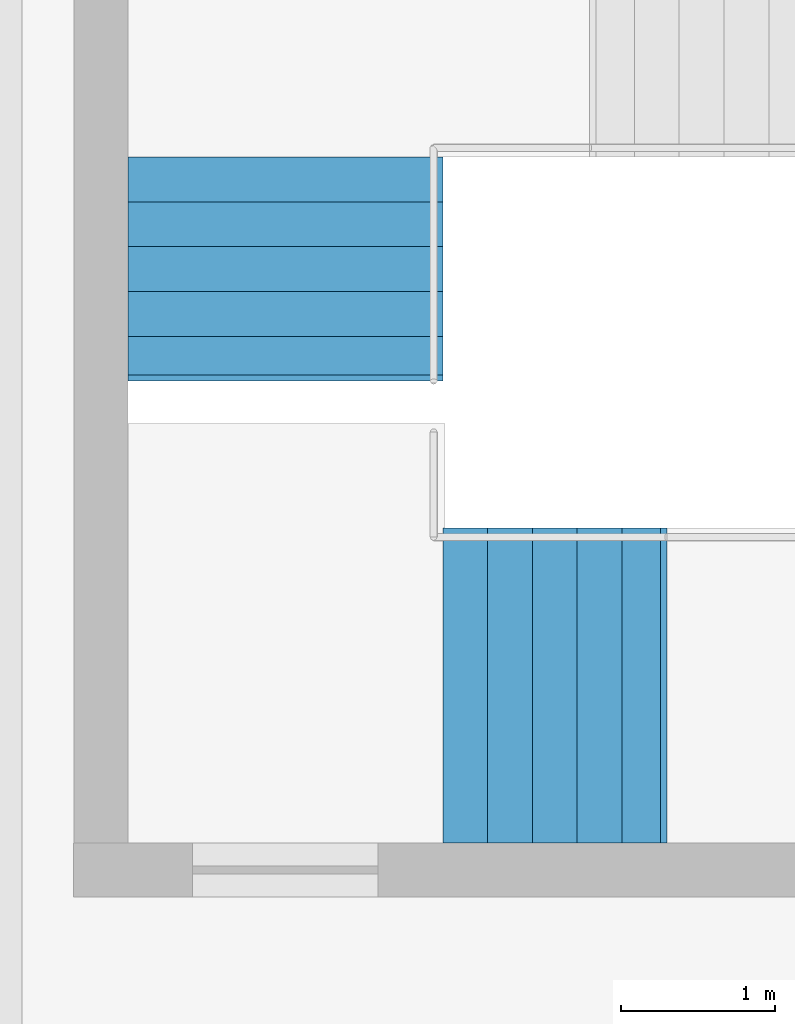
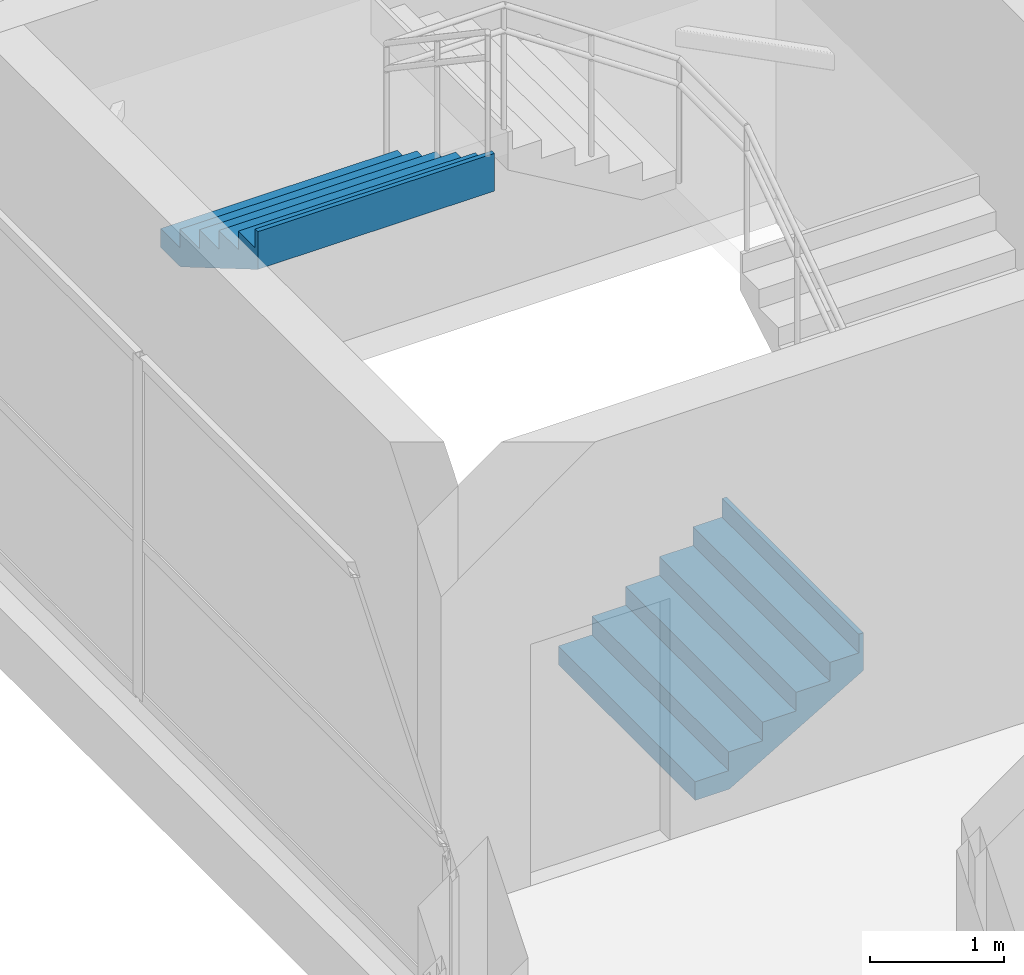
# One storey, part 62 of 66: 2 stair flights, 1 element without a shape of its own.
"""IFC4 building model written with IfcOpenShell, lengths in metres."""

from ifc_helpers import new_model, si_unit, direction, frame, origin, place, context, subcontext, project, spatial, triangles, material, type_object, element, aggregate, save


model = new_model("IFC4")

# Units and contexts
model_context = context("Model", 3, precision=1e-05, world=origin(), true_north=direction((0.0, 1.0)))
body_context = subcontext(model_context, "Body", "Model", "MODEL_VIEW")
ifc_project = project(units=[si_unit("LENGTHUNIT", "METRE"), si_unit("AREAUNIT", "SQUARE_METRE"), si_unit("VOLUMEUNIT", "CUBIC_METRE"), si_unit("PLANEANGLEUNIT", "RADIAN"), si_unit("MASSUNIT", "GRAM", prefix="KILO")], contexts=[model_context])

# Site, building, storey
site_placement = place(None, origin())
site = spatial("IfcSite", under=ifc_project, at=site_placement, CompositionType="ELEMENT")
building_placement = place(site_placement, origin())
building = spatial("IfcBuilding", under=site, at=building_placement, Name="Sillaruma Civic Art Gallery", CompositionType="ELEMENT")
storey_placement = place(building_placement, frame((0.0, 0.0, 62.219970703125)))
storey = spatial("IfcBuildingStorey", under=building, at=storey_placement, Name="L12", CompositionType="ELEMENT", Elevation=62.219970703125)

# Stair, stair flights
ifc_material = material(Name="Concrete H35 (35 MPa)", Category="concrete")
stair_type = type_object("IfcStairType", Name="STR-4F-24", PredefinedType="USERDEFINED", material=ifc_material)
stair_placement = place(storey_placement, origin())
stair = element("IfcStair", 1, at=stair_placement, inside=storey, type_object=stair_type, Name="Protected Exit Stair ST-04 (East Bar) (L12)", ObjectType="THREE_RETURN_STAIR", PredefinedType="USERDEFINED")
stair_flight_type = type_object("IfcStairFlightType", Name="SFL-STR-6", PredefinedType="STRAIGHT", material=ifc_material)
stair_flight_1_placement = place(storey_placement, frame((100.89990234375, 52.22998046875, 0.0), z_axis=(0.0, 0.0, 1.0), x_axis=(1.0, 0.0, 0.0)))
stair_flight_1 = element("IfcStairFlight", 2, at=stair_flight_1_placement, type_object=stair_flight_type, Name="ST-04 flight 1", NumberOfRisers=6, NumberOfTreads=5, PredefinedType="STRAIGHT", RiserHeight=0.17, TreadLength=0.29, context=body_context, shape_type="Tessellation", body=[
    triangles([(0.0, -1.02001953125, 0.0), (0.29, -1.02001953125, 0.0), (0.296365, -1.02001953125, 0.0), (0.58, -1.02001953125, 0.166269), (0.87, -1.02001953125, 0.336269), (1.16, -1.02001953125, 0.506269), (1.409951, -1.02001953125, 0.652792), (1.449951, -1.02001953125, 0.67624), (1.449951, -1.02001953125, 1.02), (1.409951, -1.02001953125, 1.02), (1.409951, -1.02001953125, 0.85), (1.16, -1.02001953125, 0.85), (1.16, -1.02001953125, 0.68), (0.87, -1.02001953125, 0.68), (0.87, -1.02001953125, 0.51), (0.58, -1.02001953125, 0.51), (0.58, -1.02001953125, 0.34), (0.296365, -1.02001953125, 0.34), (0.29, -1.02001953125, 0.34), (0.29, -1.02001953125, 0.17), (0.0, -1.02001953125, 0.17), (0.0, -0.05, 0.0), (0.29, -0.05, 0.0), (0.296365, -0.05, 0.0), (0.58, -0.05, 0.166269), (0.87, -0.05, 0.336269), (1.16, -0.05, 0.506269), (1.409951, -0.05, 0.652792), (1.449951, -0.05, 0.67624), (1.449951, -0.05, 1.02), (1.409951, -0.05, 1.02), (1.409951, -0.05, 0.85), (1.16, -0.05, 0.85), (1.16, -0.05, 0.68), (0.87, -0.05, 0.68), (0.87, -0.05, 0.51), (0.58, -0.05, 0.51), (0.58, -0.05, 0.34), (0.296365, -0.05, 0.34), (0.29, -0.05, 0.34), (0.29, -0.05, 0.17), (0.0, -0.05, 0.17), (0.0, -0.0375, 0.0), (0.29, -0.0375, 0.0), (0.296365, -0.0375, 0.0), (0.58, -0.0375, 0.166269), (0.87, -0.0375, 0.336269), (1.16, -0.0375, 0.506269), (1.409951, -0.0375, 0.652792), (1.449951, -0.0375, 0.67624), (1.449951, -0.0375, 1.02), (1.409951, -0.0375, 1.02), (1.409951, -0.0375, 0.85), (1.16, -0.0375, 0.85), (1.16, -0.0375, 0.68), (0.87, -0.0375, 0.68), (0.87, -0.0375, 0.51), (0.58, -0.0375, 0.51), (0.58, -0.0375, 0.34), (0.296365, -0.0375, 0.34), (0.29, -0.0375, 0.34), (0.29, -0.0375, 0.17), (0.0, -0.0375, 0.17), (0.0, -0.025, 0.0), (0.29, -0.025, 0.0), (0.296365, -0.025, 0.0), (0.58, -0.025, 0.166269), (0.87, -0.025, 0.336269), (1.16, -0.025, 0.506269), (1.409951, -0.025, 0.652792), (1.449951, -0.025, 0.67624), (1.449951, -0.025, 1.02), (1.409951, -0.025, 1.02), (1.409951, -0.025, 0.85), (1.16, -0.025, 0.85), (1.16, -0.025, 0.68), (0.87, -0.025, 0.68), (0.87, -0.025, 0.51), (0.58, -0.025, 0.51), (0.58, -0.025, 0.34), (0.296365, -0.025, 0.34), (0.29, -0.025, 0.34), (0.29, -0.025, 0.17), (0.0, -0.025, 0.17), (0.0, -0.0125, 0.0), (0.29, -0.0125, 0.0), (0.296365, -0.0125, 0.0), (0.58, -0.0125, 0.166269), (0.87, -0.0125, 0.336269), (1.16, -0.0125, 0.506269), (1.409951, -0.0125, 0.652792), (1.449951, -0.0125, 0.67624), (1.449951, -0.0125, 1.02), (1.409951, -0.0125, 1.02), (1.409951, -0.0125, 0.85), (1.16, -0.0125, 0.85), (1.16, -0.0125, 0.68), (0.87, -0.0125, 0.68), (0.87, -0.0125, 0.51), (0.58, -0.0125, 0.51), (0.58, -0.0125, 0.34), (0.296365, -0.0125, 0.34), (0.29, -0.0125, 0.34), (0.29, -0.0125, 0.17), (0.0, -0.0125, 0.17), (0.0, 0.0, 0.0), (0.29, 0.0, 0.0), (0.296365, 0.0, 0.0), (0.58, 0.0, 0.166269), (0.87, 0.0, 0.336269), (1.16, 0.0, 0.506269), (1.409951, 0.0, 0.652792), (1.449951, 0.0, 0.67624), (1.449951, 0.0, 1.02), (1.409951, 0.0, 1.02), (1.409951, 0.0, 0.85), (1.16, 0.0, 0.85), (1.16, 0.0, 0.68), (0.87, 0.0, 0.68), (0.87, 0.0, 0.51), (0.58, 0.0, 0.51), (0.58, 0.0, 0.34), (0.296365, 0.0, 0.34), (0.29, 0.0, 0.34), (0.29, 0.0, 0.17), (0.0, 0.0, 0.17), (0.0, 0.0125, 0.0), (0.29, 0.0125, 0.0), (0.296365, 0.0125, 0.0), (0.58, 0.0125, 0.166269), (0.87, 0.0125, 0.336269), (1.16, 0.0125, 0.506269), (1.409951, 0.0125, 0.652792), (1.449951, 0.0125, 0.67624), (1.449951, 0.0125, 1.02), (1.409951, 0.0125, 1.02), (1.409951, 0.0125, 0.85), (1.16, 0.0125, 0.85), (1.16, 0.0125, 0.68), (0.87, 0.0125, 0.68), (0.87, 0.0125, 0.51), (0.58, 0.0125, 0.51), (0.58, 0.0125, 0.34), (0.296365, 0.0125, 0.34), (0.29, 0.0125, 0.34), (0.29, 0.0125, 0.17), (0.0, 0.0125, 0.17), (0.0, 0.025, 0.0), (0.29, 0.025, 0.0), (0.296365, 0.025, 0.0), (0.58, 0.025, 0.166269), (0.87, 0.025, 0.336269), (1.16, 0.025, 0.506269), (1.409951, 0.025, 0.652792), (1.449951, 0.025, 0.67624), (1.449951, 0.025, 1.02), (1.409951, 0.025, 1.02), (1.409951, 0.025, 0.85), (1.16, 0.025, 0.85), (1.16, 0.025, 0.68), (0.87, 0.025, 0.68), (0.87, 0.025, 0.51), (0.58, 0.025, 0.51), (0.58, 0.025, 0.34), (0.296365, 0.025, 0.34), (0.29, 0.025, 0.34), (0.29, 0.025, 0.17), (0.0, 0.025, 0.17), (0.0, 0.0375, 0.0), (0.29, 0.0375, 0.0), (0.296365, 0.0375, 0.0), (0.58, 0.0375, 0.166269), (0.87, 0.0375, 0.336269), (1.16, 0.0375, 0.506269), (1.409951, 0.0375, 0.652792), (1.449951, 0.0375, 0.67624), (1.449951, 0.0375, 1.02), (1.409951, 0.0375, 1.02), (1.409951, 0.0375, 0.85), (1.16, 0.0375, 0.85), (1.16, 0.0375, 0.68), (0.87, 0.0375, 0.68), (0.87, 0.0375, 0.51), (0.58, 0.0375, 0.51), (0.58, 0.0375, 0.34), (0.296365, 0.0375, 0.34), (0.29, 0.0375, 0.34), (0.29, 0.0375, 0.17), (0.0, 0.0375, 0.17), (0.0, 0.05, 0.0), (0.29, 0.05, 0.0), (0.296365, 0.05, 0.0), (0.58, 0.05, 0.166269), (0.87, 0.05, 0.336269), (1.16, 0.05, 0.506269), (1.409951, 0.05, 0.652792), (1.449951, 0.05, 0.67624), (1.449951, 0.05, 1.02), (1.409951, 0.05, 1.02), (1.409951, 0.05, 0.85), (1.16, 0.05, 0.85), (1.16, 0.05, 0.68), (0.87, 0.05, 0.68), (0.87, 0.05, 0.51), (0.58, 0.05, 0.51), (0.58, 0.05, 0.34), (0.296365, 0.05, 0.34), (0.29, 0.05, 0.34), (0.29, 0.05, 0.17), (0.0, 0.05, 0.17), (0.0, 1.02001953125, 0.0), (0.29, 1.02001953125, 0.0), (0.296365, 1.02001953125, 0.0), (0.58, 1.02001953125, 0.166269), (0.87, 1.02001953125, 0.336269), (1.16, 1.02001953125, 0.506269), (1.409951, 1.02001953125, 0.652792), (1.449951, 1.02001953125, 0.67624), (1.449951, 1.02001953125, 1.02), (1.409951, 1.02001953125, 1.02), (1.409951, 1.02001953125, 0.85), (1.16, 1.02001953125, 0.85), (1.16, 1.02001953125, 0.68), (0.87, 1.02001953125, 0.68), (0.87, 1.02001953125, 0.51), (0.58, 1.02001953125, 0.51), (0.58, 1.02001953125, 0.34), (0.296365, 1.02001953125, 0.34), (0.29, 1.02001953125, 0.34), (0.29, 1.02001953125, 0.17), (0.0, 1.02001953125, 0.17)], [[1, 2, 20], [1, 20, 21], [2, 3, 18], [2, 18, 20], [20, 18, 19], [3, 4, 17], [3, 17, 18], [4, 5, 15], [4, 15, 17], [17, 15, 16], [5, 6, 13], [5, 13, 15], [15, 13, 14], [6, 7, 11], [6, 11, 13], [13, 11, 12], [7, 8, 9], [7, 9, 11], [11, 9, 10], [230, 212, 211], [231, 230, 211], [228, 213, 212], [230, 228, 212], [229, 228, 230], [227, 214, 213], [228, 227, 213], [225, 215, 214], [227, 225, 214], [226, 225, 227], [223, 216, 215], [225, 223, 215], [224, 223, 225], [221, 217, 216], [223, 221, 216], [222, 221, 223], [219, 218, 217], [221, 219, 217], [220, 219, 221], [2, 1, 22], [2, 22, 23], [3, 2, 23], [3, 23, 24], [4, 3, 24], [4, 24, 25], [5, 4, 25], [5, 25, 26], [6, 5, 26], [6, 26, 27], [7, 6, 27], [7, 27, 28], [8, 7, 28], [8, 28, 29], [9, 8, 29], [9, 29, 30], [10, 9, 30], [10, 30, 31], [11, 10, 31], [11, 31, 32], [12, 11, 32], [12, 32, 33], [13, 12, 33], [13, 33, 34], [14, 13, 34], [14, 34, 35], [15, 14, 35], [15, 35, 36], [16, 15, 36], [16, 36, 37], [17, 16, 37], [17, 37, 38], [18, 17, 38], [18, 38, 39], [19, 18, 39], [19, 39, 40], [20, 19, 40], [20, 40, 41], [21, 20, 41], [21, 41, 42], [1, 21, 42], [1, 42, 22], [23, 22, 43], [23, 43, 44], [24, 23, 44], [24, 44, 45], [25, 24, 45], [25, 45, 46], [26, 25, 46], [26, 46, 47], [27, 26, 47], [27, 47, 48], [28, 27, 48], [28, 48, 49], [29, 28, 49], [29, 49, 50], [30, 29, 50], [30, 50, 51], [31, 30, 51], [31, 51, 52], [32, 31, 52], [32, 52, 53], [33, 32, 53], [33, 53, 54], [34, 33, 54], [34, 54, 55], [35, 34, 55], [35, 55, 56], [36, 35, 56], [36, 56, 57], [37, 36, 57], [37, 57, 58], [38, 37, 58], [38, 58, 59], [39, 38, 59], [39, 59, 60], [40, 39, 60], [40, 60, 61], [41, 40, 61], [41, 61, 62], [42, 41, 62], [42, 62, 63], [22, 42, 63], [22, 63, 43], [44, 43, 64], [44, 64, 65], [45, 44, 65], [45, 65, 66], [46, 45, 66], [46, 66, 67], [47, 46, 67], [47, 67, 68], [48, 47, 68], [48, 68, 69], [49, 48, 69], [49, 69, 70], [50, 49, 70], [50, 70, 71], [51, 50, 71], [51, 71, 72], [52, 51, 72], [52, 72, 73], [53, 52, 73], [53, 73, 74], [54, 53, 74], [54, 74, 75], [55, 54, 75], [55, 75, 76], [56, 55, 76], [56, 76, 77], [57, 56, 77], [57, 77, 78], [58, 57, 78], [58, 78, 79], [59, 58, 79], [59, 79, 80], [60, 59, 80], [60, 80, 81], [61, 60, 81], [61, 81, 82], [62, 61, 82], [62, 82, 83], [63, 62, 83], [63, 83, 84], [43, 63, 84], [43, 84, 64], [65, 64, 85], [65, 85, 86], [66, 65, 86], [66, 86, 87], [67, 66, 87], [67, 87, 88], [68, 67, 88], [68, 88, 89], [69, 68, 89], [69, 89, 90], [70, 69, 90], [70, 90, 91], [71, 70, 91], [71, 91, 92], [72, 71, 92], [72, 92, 93], [73, 72, 93], [73, 93, 94], [74, 73, 94], [74, 94, 95], [75, 74, 95], [75, 95, 96], [76, 75, 96], [76, 96, 97], [77, 76, 97], [77, 97, 98], [78, 77, 98], [78, 98, 99], [79, 78, 99], [79, 99, 100], [80, 79, 100], [80, 100, 101], [81, 80, 101], [81, 101, 102], [82, 81, 102], [82, 102, 103], [83, 82, 103], [83, 103, 104], [84, 83, 104], [84, 104, 105], [64, 84, 105], [64, 105, 85], [86, 85, 106], [86, 106, 107], [87, 86, 107], [87, 107, 108], [88, 87, 108], [88, 108, 109], [89, 88, 109], [89, 109, 110], [90, 89, 110], [90, 110, 111], [91, 90, 111], [91, 111, 112], [92, 91, 112], [92, 112, 113], [93, 92, 113], [93, 113, 114], [94, 93, 114], [94, 114, 115], [95, 94, 115], [95, 115, 116], [96, 95, 116], [96, 116, 117], [97, 96, 117], [97, 117, 118], [98, 97, 118], [98, 118, 119], [99, 98, 119], [99, 119, 120], [100, 99, 120], [100, 120, 121], [101, 100, 121], [101, 121, 122], [102, 101, 122], [102, 122, 123], [103, 102, 123], [103, 123, 124], [104, 103, 124], [104, 124, 125], [105, 104, 125], [105, 125, 126], [85, 105, 126], [85, 126, 106], [107, 106, 127], [107, 127, 128], [108, 107, 128], [108, 128, 129], [109, 108, 129], [109, 129, 130], [110, 109, 130], [110, 130, 131], [111, 110, 131], [111, 131, 132], [112, 111, 132], [112, 132, 133], [113, 112, 133], [113, 133, 134], [114, 113, 134], [114, 134, 135], [115, 114, 135], [115, 135, 136], [116, 115, 136], [116, 136, 137], [117, 116, 137], [117, 137, 138], [118, 117, 138], [118, 138, 139], [119, 118, 139], [119, 139, 140], [120, 119, 140], [120, 140, 141], [121, 120, 141], [121, 141, 142], [122, 121, 142], [122, 142, 143], [123, 122, 143], [123, 143, 144], [124, 123, 144], [124, 144, 145], [125, 124, 145], [125, 145, 146], [126, 125, 146], [126, 146, 147], [106, 126, 147], [106, 147, 127], [128, 127, 148], [128, 148, 149], [129, 128, 149], [129, 149, 150], [130, 129, 150], [130, 150, 151], [131, 130, 151], [131, 151, 152], [132, 131, 152], [132, 152, 153], [133, 132, 153], [133, 153, 154], [134, 133, 154], [134, 154, 155], [135, 134, 155], [135, 155, 156], [136, 135, 156], [136, 156, 157], [137, 136, 157], [137, 157, 158], [138, 137, 158], [138, 158, 159], [139, 138, 159], [139, 159, 160], [140, 139, 160], [140, 160, 161], [141, 140, 161], [141, 161, 162], [142, 141, 162], [142, 162, 163], [143, 142, 163], [143, 163, 164], [144, 143, 164], [144, 164, 165], [145, 144, 165], [145, 165, 166], [146, 145, 166], [146, 166, 167], [147, 146, 167], [147, 167, 168], [127, 147, 168], [127, 168, 148], [149, 148, 169], [149, 169, 170], [150, 149, 170], [150, 170, 171], [151, 150, 171], [151, 171, 172], [152, 151, 172], [152, 172, 173], [153, 152, 173], [153, 173, 174], [154, 153, 174], [154, 174, 175], [155, 154, 175], [155, 175, 176], [156, 155, 176], [156, 176, 177], [157, 156, 177], [157, 177, 178], [158, 157, 178], [158, 178, 179], [159, 158, 179], [159, 179, 180], [160, 159, 180], [160, 180, 181], [161, 160, 181], [161, 181, 182], [162, 161, 182], [162, 182, 183], [163, 162, 183], [163, 183, 184], [164, 163, 184], [164, 184, 185], [165, 164, 185], [165, 185, 186], [166, 165, 186], [166, 186, 187], [167, 166, 187], [167, 187, 188], [168, 167, 188], [168, 188, 189], [148, 168, 189], [148, 189, 169], [170, 169, 190], [170, 190, 191], [171, 170, 191], [171, 191, 192], [172, 171, 192], [172, 192, 193], [173, 172, 193], [173, 193, 194], [174, 173, 194], [174, 194, 195], [175, 174, 195], [175, 195, 196], [176, 175, 196], [176, 196, 197], [177, 176, 197], [177, 197, 198], [178, 177, 198], [178, 198, 199], [179, 178, 199], [179, 199, 200], [180, 179, 200], [180, 200, 201], [181, 180, 201], [181, 201, 202], [182, 181, 202], [182, 202, 203], [183, 182, 203], [183, 203, 204], [184, 183, 204], [184, 204, 205], [185, 184, 205], [185, 205, 206], [186, 185, 206], [186, 206, 207], [187, 186, 207], [187, 207, 208], [188, 187, 208], [188, 208, 209], [189, 188, 209], [189, 209, 210], [169, 189, 210], [169, 210, 190], [191, 190, 211], [191, 211, 212], [192, 191, 212], [192, 212, 213], [193, 192, 213], [193, 213, 214], [194, 193, 214], [194, 214, 215], [195, 194, 215], [195, 215, 216], [196, 195, 216], [196, 216, 217], [197, 196, 217], [197, 217, 218], [198, 197, 218], [198, 218, 219], [199, 198, 219], [199, 219, 220], [200, 199, 220], [200, 220, 221], [201, 200, 221], [201, 221, 222], [202, 201, 222], [202, 222, 223], [203, 202, 223], [203, 223, 224], [204, 203, 224], [204, 224, 225], [205, 204, 225], [205, 225, 226], [206, 205, 226], [206, 226, 227], [207, 206, 227], [207, 227, 228], [208, 207, 228], [208, 228, 229], [209, 208, 229], [209, 229, 230], [210, 209, 230], [210, 230, 231], [190, 210, 231], [190, 231, 211]], closed=True),
])
stair_flight_2_placement = place(storey_placement, frame((99.8798828125, 55.64990234375, 3.06005859375), z_axis=(0.0, 0.0, 1.0), x_axis=(0.0, -1.0, 0.0)))
stair_flight_2 = element("IfcStairFlight", 3, at=stair_flight_2_placement, type_object=stair_flight_type, Name="ST-04 flight 4", NumberOfRisers=6, NumberOfTreads=5, PredefinedType="STRAIGHT", RiserHeight=0.17, TreadLength=0.29, context=body_context, shape_type="Tessellation", body=[
    triangles([(0.0, -1.02001953125, 0.0), (0.29, -1.02001953125, 0.0), (0.296365, -1.02001953125, 0.0), (0.58, -1.02001953125, 0.166269), (0.87, -1.02001953125, 0.336269), (1.16, -1.02001953125, 0.506269), (1.409951, -1.02001953125, 0.652792), (1.449951, -1.02001953125, 0.67624), (1.449951, -1.02001953125, 1.02), (1.409951, -1.02001953125, 1.02), (1.409951, -1.02001953125, 0.85), (1.16, -1.02001953125, 0.85), (1.16, -1.02001953125, 0.68), (0.87, -1.02001953125, 0.68), (0.87, -1.02001953125, 0.51), (0.58, -1.02001953125, 0.51), (0.58, -1.02001953125, 0.34), (0.296365, -1.02001953125, 0.34), (0.29, -1.02001953125, 0.34), (0.29, -1.02001953125, 0.17), (0.0, -1.02001953125, 0.17), (0.0, -0.05, 0.0), (0.29, -0.05, 0.0), (0.296365, -0.05, 0.0), (0.58, -0.05, 0.166269), (0.87, -0.05, 0.336269), (1.16, -0.05, 0.506269), (1.409951, -0.05, 0.652792), (1.449951, -0.05, 0.67624), (1.449951, -0.05, 1.02), (1.409951, -0.05, 1.02), (1.409951, -0.05, 0.85), (1.16, -0.05, 0.85), (1.16, -0.05, 0.68), (0.87, -0.05, 0.68), (0.87, -0.05, 0.51), (0.58, -0.05, 0.51), (0.58, -0.05, 0.34), (0.296365, -0.05, 0.34), (0.29, -0.05, 0.34), (0.29, -0.05, 0.17), (0.0, -0.05, 0.17), (0.0, -0.0375, 0.0), (0.29, -0.0375, 0.0), (0.296365, -0.0375, 0.0), (0.58, -0.0375, 0.166269), (0.87, -0.0375, 0.336269), (1.16, -0.0375, 0.506269), (1.409951, -0.0375, 0.652792), (1.449951, -0.0375, 0.67624), (1.449951, -0.0375, 1.02), (1.409951, -0.0375, 1.02), (1.409951, -0.0375, 0.85), (1.16, -0.0375, 0.85), (1.16, -0.0375, 0.68), (0.87, -0.0375, 0.68), (0.87, -0.0375, 0.51), (0.58, -0.0375, 0.51), (0.58, -0.0375, 0.34), (0.296365, -0.0375, 0.34), (0.29, -0.0375, 0.34), (0.29, -0.0375, 0.17), (0.0, -0.0375, 0.17), (0.0, -0.025, 0.0), (0.29, -0.025, 0.0), (0.296365, -0.025, 0.0), (0.58, -0.025, 0.166269), (0.87, -0.025, 0.336269), (1.16, -0.025, 0.506269), (1.409951, -0.025, 0.652792), (1.449951, -0.025, 0.67624), (1.449951, -0.025, 1.02), (1.409951, -0.025, 1.02), (1.409951, -0.025, 0.85), (1.16, -0.025, 0.85), (1.16, -0.025, 0.68), (0.87, -0.025, 0.68), (0.87, -0.025, 0.51), (0.58, -0.025, 0.51), (0.58, -0.025, 0.34), (0.296365, -0.025, 0.34), (0.29, -0.025, 0.34), (0.29, -0.025, 0.17), (0.0, -0.025, 0.17), (0.0, -0.0125, 0.0), (0.29, -0.0125, 0.0), (0.296365, -0.0125, 0.0), (0.58, -0.0125, 0.166269), (0.87, -0.0125, 0.336269), (1.16, -0.0125, 0.506269), (1.409951, -0.0125, 0.652792), (1.449951, -0.0125, 0.67624), (1.449951, -0.0125, 1.02), (1.409951, -0.0125, 1.02), (1.409951, -0.0125, 0.85), (1.16, -0.0125, 0.85), (1.16, -0.0125, 0.68), (0.87, -0.0125, 0.68), (0.87, -0.0125, 0.51), (0.58, -0.0125, 0.51), (0.58, -0.0125, 0.34), (0.296365, -0.0125, 0.34), (0.29, -0.0125, 0.34), (0.29, -0.0125, 0.17), (0.0, -0.0125, 0.17), (0.0, 0.0, 0.0), (0.29, 0.0, 0.0), (0.296365, 0.0, 0.0), (0.58, 0.0, 0.166269), (0.87, 0.0, 0.336269), (1.16, 0.0, 0.506269), (1.409951, 0.0, 0.652792), (1.449951, 0.0, 0.67624), (1.449951, 0.0, 1.02), (1.409951, 0.0, 1.02), (1.409951, 0.0, 0.85), (1.16, 0.0, 0.85), (1.16, 0.0, 0.68), (0.87, 0.0, 0.68), (0.87, 0.0, 0.51), (0.58, 0.0, 0.51), (0.58, 0.0, 0.34), (0.296365, 0.0, 0.34), (0.29, 0.0, 0.34), (0.29, 0.0, 0.17), (0.0, 0.0, 0.17), (0.0, 0.0125, 0.0), (0.29, 0.0125, 0.0), (0.296365, 0.0125, 0.0), (0.58, 0.0125, 0.166269), (0.87, 0.0125, 0.336269), (1.16, 0.0125, 0.506269), (1.409951, 0.0125, 0.652792), (1.449951, 0.0125, 0.67624), (1.449951, 0.0125, 1.02), (1.409951, 0.0125, 1.02), (1.409951, 0.0125, 0.85), (1.16, 0.0125, 0.85), (1.16, 0.0125, 0.68), (0.87, 0.0125, 0.68), (0.87, 0.0125, 0.51), (0.58, 0.0125, 0.51), (0.58, 0.0125, 0.34), (0.296365, 0.0125, 0.34), (0.29, 0.0125, 0.34), (0.29, 0.0125, 0.17), (0.0, 0.0125, 0.17), (0.0, 0.025, 0.0), (0.29, 0.025, 0.0), (0.296365, 0.025, 0.0), (0.58, 0.025, 0.166269), (0.87, 0.025, 0.336269), (1.16, 0.025, 0.506269), (1.409951, 0.025, 0.652792), (1.449951, 0.025, 0.67624), (1.449951, 0.025, 1.02), (1.409951, 0.025, 1.02), (1.409951, 0.025, 0.85), (1.16, 0.025, 0.85), (1.16, 0.025, 0.68), (0.87, 0.025, 0.68), (0.87, 0.025, 0.51), (0.58, 0.025, 0.51), (0.58, 0.025, 0.34), (0.296365, 0.025, 0.34), (0.29, 0.025, 0.34), (0.29, 0.025, 0.17), (0.0, 0.025, 0.17), (0.0, 0.0375, 0.0), (0.29, 0.0375, 0.0), (0.296365, 0.0375, 0.0), (0.58, 0.0375, 0.166269), (0.87, 0.0375, 0.336269), (1.16, 0.0375, 0.506269), (1.409951, 0.0375, 0.652792), (1.449951, 0.0375, 0.67624), (1.449951, 0.0375, 1.02), (1.409951, 0.0375, 1.02), (1.409951, 0.0375, 0.85), (1.16, 0.0375, 0.85), (1.16, 0.0375, 0.68), (0.87, 0.0375, 0.68), (0.87, 0.0375, 0.51), (0.58, 0.0375, 0.51), (0.58, 0.0375, 0.34), (0.296365, 0.0375, 0.34), (0.29, 0.0375, 0.34), (0.29, 0.0375, 0.17), (0.0, 0.0375, 0.17), (0.0, 0.05, 0.0), (0.29, 0.05, 0.0), (0.296365, 0.05, 0.0), (0.58, 0.05, 0.166269), (0.87, 0.05, 0.336269), (1.16, 0.05, 0.506269), (1.409951, 0.05, 0.652792), (1.449951, 0.05, 0.67624), (1.449951, 0.05, 1.02), (1.409951, 0.05, 1.02), (1.409951, 0.05, 0.85), (1.16, 0.05, 0.85), (1.16, 0.05, 0.68), (0.87, 0.05, 0.68), (0.87, 0.05, 0.51), (0.58, 0.05, 0.51), (0.58, 0.05, 0.34), (0.296365, 0.05, 0.34), (0.29, 0.05, 0.34), (0.29, 0.05, 0.17), (0.0, 0.05, 0.17), (0.0, 1.02001953125, 0.0), (0.29, 1.02001953125, 0.0), (0.296365, 1.02001953125, 0.0), (0.58, 1.02001953125, 0.166269), (0.87, 1.02001953125, 0.336269), (1.16, 1.02001953125, 0.506269), (1.409951, 1.02001953125, 0.652792), (1.449951, 1.02001953125, 0.67624), (1.449951, 1.02001953125, 1.02), (1.409951, 1.02001953125, 1.02), (1.409951, 1.02001953125, 0.85), (1.16, 1.02001953125, 0.85), (1.16, 1.02001953125, 0.68), (0.87, 1.02001953125, 0.68), (0.87, 1.02001953125, 0.51), (0.58, 1.02001953125, 0.51), (0.58, 1.02001953125, 0.34), (0.296365, 1.02001953125, 0.34), (0.29, 1.02001953125, 0.34), (0.29, 1.02001953125, 0.17), (0.0, 1.02001953125, 0.17)], [[1, 2, 20], [1, 20, 21], [2, 3, 18], [2, 18, 20], [20, 18, 19], [3, 4, 17], [3, 17, 18], [4, 5, 15], [4, 15, 17], [17, 15, 16], [5, 6, 13], [5, 13, 15], [15, 13, 14], [6, 7, 11], [6, 11, 13], [13, 11, 12], [7, 8, 9], [7, 9, 11], [11, 9, 10], [230, 212, 211], [231, 230, 211], [228, 213, 212], [230, 228, 212], [229, 228, 230], [227, 214, 213], [228, 227, 213], [225, 215, 214], [227, 225, 214], [226, 225, 227], [223, 216, 215], [225, 223, 215], [224, 223, 225], [221, 217, 216], [223, 221, 216], [222, 221, 223], [219, 218, 217], [221, 219, 217], [220, 219, 221], [2, 1, 22], [2, 22, 23], [3, 2, 23], [3, 23, 24], [4, 3, 24], [4, 24, 25], [5, 4, 25], [5, 25, 26], [6, 5, 26], [6, 26, 27], [7, 6, 27], [7, 27, 28], [8, 7, 28], [8, 28, 29], [9, 8, 29], [9, 29, 30], [10, 9, 30], [10, 30, 31], [11, 10, 31], [11, 31, 32], [12, 11, 32], [12, 32, 33], [13, 12, 33], [13, 33, 34], [14, 13, 34], [14, 34, 35], [15, 14, 35], [15, 35, 36], [16, 15, 36], [16, 36, 37], [17, 16, 37], [17, 37, 38], [18, 17, 38], [18, 38, 39], [19, 18, 39], [19, 39, 40], [20, 19, 40], [20, 40, 41], [21, 20, 41], [21, 41, 42], [1, 21, 42], [1, 42, 22], [23, 22, 43], [23, 43, 44], [24, 23, 44], [24, 44, 45], [25, 24, 45], [25, 45, 46], [26, 25, 46], [26, 46, 47], [27, 26, 47], [27, 47, 48], [28, 27, 48], [28, 48, 49], [29, 28, 49], [29, 49, 50], [30, 29, 50], [30, 50, 51], [31, 30, 51], [31, 51, 52], [32, 31, 52], [32, 52, 53], [33, 32, 53], [33, 53, 54], [34, 33, 54], [34, 54, 55], [35, 34, 55], [35, 55, 56], [36, 35, 56], [36, 56, 57], [37, 36, 57], [37, 57, 58], [38, 37, 58], [38, 58, 59], [39, 38, 59], [39, 59, 60], [40, 39, 60], [40, 60, 61], [41, 40, 61], [41, 61, 62], [42, 41, 62], [42, 62, 63], [22, 42, 63], [22, 63, 43], [44, 43, 64], [44, 64, 65], [45, 44, 65], [45, 65, 66], [46, 45, 66], [46, 66, 67], [47, 46, 67], [47, 67, 68], [48, 47, 68], [48, 68, 69], [49, 48, 69], [49, 69, 70], [50, 49, 70], [50, 70, 71], [51, 50, 71], [51, 71, 72], [52, 51, 72], [52, 72, 73], [53, 52, 73], [53, 73, 74], [54, 53, 74], [54, 74, 75], [55, 54, 75], [55, 75, 76], [56, 55, 76], [56, 76, 77], [57, 56, 77], [57, 77, 78], [58, 57, 78], [58, 78, 79], [59, 58, 79], [59, 79, 80], [60, 59, 80], [60, 80, 81], [61, 60, 81], [61, 81, 82], [62, 61, 82], [62, 82, 83], [63, 62, 83], [63, 83, 84], [43, 63, 84], [43, 84, 64], [65, 64, 85], [65, 85, 86], [66, 65, 86], [66, 86, 87], [67, 66, 87], [67, 87, 88], [68, 67, 88], [68, 88, 89], [69, 68, 89], [69, 89, 90], [70, 69, 90], [70, 90, 91], [71, 70, 91], [71, 91, 92], [72, 71, 92], [72, 92, 93], [73, 72, 93], [73, 93, 94], [74, 73, 94], [74, 94, 95], [75, 74, 95], [75, 95, 96], [76, 75, 96], [76, 96, 97], [77, 76, 97], [77, 97, 98], [78, 77, 98], [78, 98, 99], [79, 78, 99], [79, 99, 100], [80, 79, 100], [80, 100, 101], [81, 80, 101], [81, 101, 102], [82, 81, 102], [82, 102, 103], [83, 82, 103], [83, 103, 104], [84, 83, 104], [84, 104, 105], [64, 84, 105], [64, 105, 85], [86, 85, 106], [86, 106, 107], [87, 86, 107], [87, 107, 108], [88, 87, 108], [88, 108, 109], [89, 88, 109], [89, 109, 110], [90, 89, 110], [90, 110, 111], [91, 90, 111], [91, 111, 112], [92, 91, 112], [92, 112, 113], [93, 92, 113], [93, 113, 114], [94, 93, 114], [94, 114, 115], [95, 94, 115], [95, 115, 116], [96, 95, 116], [96, 116, 117], [97, 96, 117], [97, 117, 118], [98, 97, 118], [98, 118, 119], [99, 98, 119], [99, 119, 120], [100, 99, 120], [100, 120, 121], [101, 100, 121], [101, 121, 122], [102, 101, 122], [102, 122, 123], [103, 102, 123], [103, 123, 124], [104, 103, 124], [104, 124, 125], [105, 104, 125], [105, 125, 126], [85, 105, 126], [85, 126, 106], [107, 106, 127], [107, 127, 128], [108, 107, 128], [108, 128, 129], [109, 108, 129], [109, 129, 130], [110, 109, 130], [110, 130, 131], [111, 110, 131], [111, 131, 132], [112, 111, 132], [112, 132, 133], [113, 112, 133], [113, 133, 134], [114, 113, 134], [114, 134, 135], [115, 114, 135], [115, 135, 136], [116, 115, 136], [116, 136, 137], [117, 116, 137], [117, 137, 138], [118, 117, 138], [118, 138, 139], [119, 118, 139], [119, 139, 140], [120, 119, 140], [120, 140, 141], [121, 120, 141], [121, 141, 142], [122, 121, 142], [122, 142, 143], [123, 122, 143], [123, 143, 144], [124, 123, 144], [124, 144, 145], [125, 124, 145], [125, 145, 146], [126, 125, 146], [126, 146, 147], [106, 126, 147], [106, 147, 127], [128, 127, 148], [128, 148, 149], [129, 128, 149], [129, 149, 150], [130, 129, 150], [130, 150, 151], [131, 130, 151], [131, 151, 152], [132, 131, 152], [132, 152, 153], [133, 132, 153], [133, 153, 154], [134, 133, 154], [134, 154, 155], [135, 134, 155], [135, 155, 156], [136, 135, 156], [136, 156, 157], [137, 136, 157], [137, 157, 158], [138, 137, 158], [138, 158, 159], [139, 138, 159], [139, 159, 160], [140, 139, 160], [140, 160, 161], [141, 140, 161], [141, 161, 162], [142, 141, 162], [142, 162, 163], [143, 142, 163], [143, 163, 164], [144, 143, 164], [144, 164, 165], [145, 144, 165], [145, 165, 166], [146, 145, 166], [146, 166, 167], [147, 146, 167], [147, 167, 168], [127, 147, 168], [127, 168, 148], [149, 148, 169], [149, 169, 170], [150, 149, 170], [150, 170, 171], [151, 150, 171], [151, 171, 172], [152, 151, 172], [152, 172, 173], [153, 152, 173], [153, 173, 174], [154, 153, 174], [154, 174, 175], [155, 154, 175], [155, 175, 176], [156, 155, 176], [156, 176, 177], [157, 156, 177], [157, 177, 178], [158, 157, 178], [158, 178, 179], [159, 158, 179], [159, 179, 180], [160, 159, 180], [160, 180, 181], [161, 160, 181], [161, 181, 182], [162, 161, 182], [162, 182, 183], [163, 162, 183], [163, 183, 184], [164, 163, 184], [164, 184, 185], [165, 164, 185], [165, 185, 186], [166, 165, 186], [166, 186, 187], [167, 166, 187], [167, 187, 188], [168, 167, 188], [168, 188, 189], [148, 168, 189], [148, 189, 169], [170, 169, 190], [170, 190, 191], [171, 170, 191], [171, 191, 192], [172, 171, 192], [172, 192, 193], [173, 172, 193], [173, 193, 194], [174, 173, 194], [174, 194, 195], [175, 174, 195], [175, 195, 196], [176, 175, 196], [176, 196, 197], [177, 176, 197], [177, 197, 198], [178, 177, 198], [178, 198, 199], [179, 178, 199], [179, 199, 200], [180, 179, 200], [180, 200, 201], [181, 180, 201], [181, 201, 202], [182, 181, 202], [182, 202, 203], [183, 182, 203], [183, 203, 204], [184, 183, 204], [184, 204, 205], [185, 184, 205], [185, 205, 206], [186, 185, 206], [186, 206, 207], [187, 186, 207], [187, 207, 208], [188, 187, 208], [188, 208, 209], [189, 188, 209], [189, 209, 210], [169, 189, 210], [169, 210, 190], [191, 190, 211], [191, 211, 212], [192, 191, 212], [192, 212, 213], [193, 192, 213], [193, 213, 214], [194, 193, 214], [194, 214, 215], [195, 194, 215], [195, 215, 216], [196, 195, 216], [196, 216, 217], [197, 196, 217], [197, 217, 218], [198, 197, 218], [198, 218, 219], [199, 198, 219], [199, 219, 220], [200, 199, 220], [200, 220, 221], [201, 200, 221], [201, 221, 222], [202, 201, 222], [202, 222, 223], [203, 202, 223], [203, 223, 224], [204, 203, 224], [204, 224, 225], [205, 204, 225], [205, 225, 226], [206, 205, 226], [206, 226, 227], [207, 206, 227], [207, 227, 228], [208, 207, 228], [208, 228, 229], [209, 208, 229], [209, 229, 230], [210, 209, 230], [210, 230, 231], [190, 210, 231], [190, 231, 211]], closed=True),
])
aggregate(stair, [stair_flight_1, stair_flight_2])

save(model, "model.ifc")
